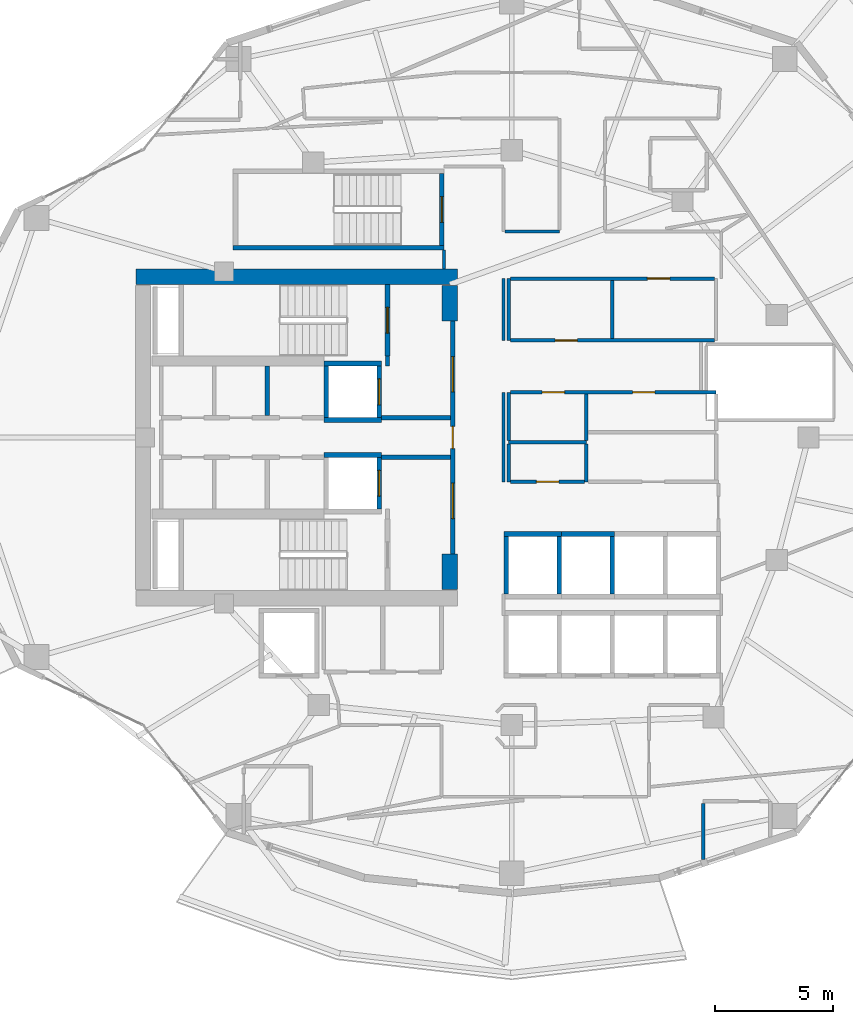
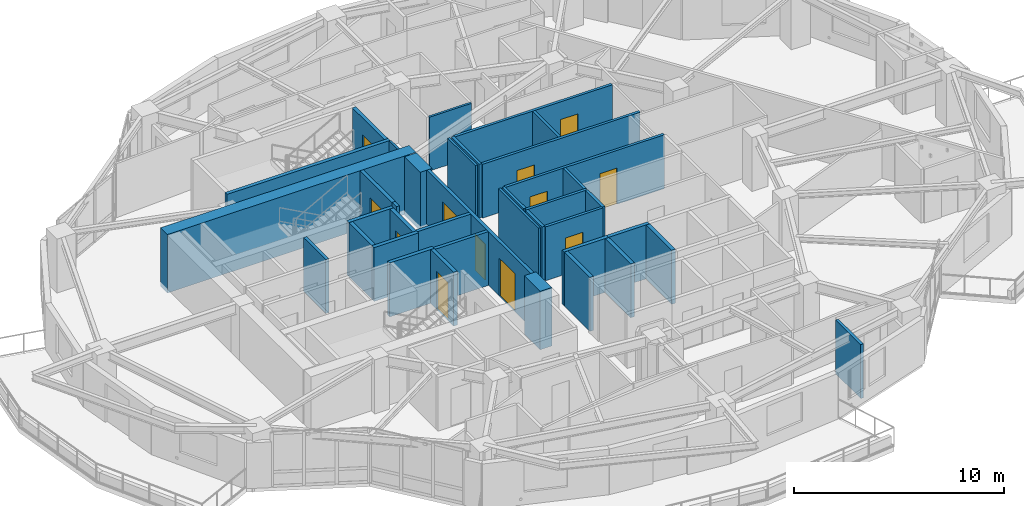
# One storey, part 9 of 18: 38 walls, 12 doors, 12 openings.
"""IFC4 building model written with IfcOpenShell, lengths in metres."""

from ifc_helpers import new_model, si_unit, direction, frame, frame_2d, origin, place, context, subcontext, project, spatial, rectangle, extrude, material, layer, layer_set, type_object, element, fill, save


model = new_model("IFC4")

# Units and contexts
model_context = context("Model", 3, precision=1e-05, world=origin(), true_north=direction((0.0, 1.0)))
body_context = subcontext(model_context, "Body", "Model", "MODEL_VIEW")
ifc_project = project(units=[si_unit("LENGTHUNIT", "METRE"), si_unit("AREAUNIT", "SQUARE_METRE"), si_unit("VOLUMEUNIT", "CUBIC_METRE"), si_unit("PLANEANGLEUNIT", "RADIAN"), si_unit("MASSUNIT", "GRAM", prefix="KILO")], contexts=[model_context])

# Site, building, storey
site_placement = place(None, origin())
site = spatial("IfcSite", under=ifc_project, at=site_placement, CompositionType="ELEMENT")
building_placement = place(site_placement, origin())
building = spatial("IfcBuilding", under=site, at=building_placement, Name="Kolvaren Gate Tower and Convention Centre", CompositionType="ELEMENT")
storey_placement = place(building_placement, frame((0.0, 0.0, 108.699951171875)))
storey = spatial("IfcBuildingStorey", under=building, at=storey_placement, Name="L26", CompositionType="ELEMENT", Elevation=108.699951171875)

# Wall
ifc_material_1 = material(Name="Autoclaved Aerated Masonry Blockwork Class 4 (4.0 MPa)", Category="masonry")
ifc_layer_1 = layer(ifc_material_1, 0.179931640625)
ifc_layer_set_1 = layer_set([ifc_layer_1], Name="Autoclaved Aerated Masonry Blockwork Class 4 (4.0 MPa)")
wall_type_1 = type_object("IfcWallType", Name="ARCH-WL-COMP-180", PredefinedType="SOLIDWALL", material=ifc_layer_set_1)
wall_1_placement = place(storey_placement, frame((24.85009765625, 30.0400390625, 0.0), z_axis=(0.0, 0.0, 1.0), x_axis=(0.0, 1.0, 0.0)))
element("IfcWall", 1, at=wall_1_placement, inside=storey, type_object=wall_type_1, Name="Interior Partition WL-L26-INT-002", PredefinedType="SOLIDWALL", context=body_context, shape_type="SweptSolid", body=[
    extrude(rectangle(XDim=0.419921875, YDim=0.179931640625, at=frame_2d((0.2099609375, 0.0))), origin(), (0.0, 0.0, 1.0), 3.130126953125),
])

# Wall, openings, doors
wall_2_placement = place(storey_placement, frame((27.6201171875, 22.050048828125, 0.0), z_axis=(0.0, 0.0, 1.0), x_axis=(0.0, 1.0, 0.0)))
wall_2 = element("IfcWall", 2, at=wall_2_placement, inside=storey, type_object=wall_type_1, Name="Interior Partition WL-L26-INT-003", PredefinedType="SOLIDWALL", context=body_context, shape_type="SweptSolid", body=[
    extrude(rectangle(XDim=9.89990234375, YDim=0.179931640625, at=frame_2d((4.949951171875, 0.0))), origin(), (0.0, 0.0, 1.0), 3.130126953125),
])
opening_1_placement = place(wall_2_placement, frame((4.47509765625, 0.0, 0.0)))
opening_1 = element("IfcOpeningElement", 3, at=opening_1_placement, cuts=wall_2, Name="Opening DR-01", PredefinedType="OPENING", context=body_context, shape_type="SweptSolid", body=[
    extrude(rectangle(XDim=0.949951171875, YDim=2.10009765625, at=frame_2d((0.47509765625, 1.050048828125))), frame((0.0, 0.099853515625, 0.0), z_axis=(0.0, -1.0, 0.0), x_axis=(1.0, 0.0, 0.0)), (0.0, 0.0, 1.0), 0.199951171875),
])
opening_2_placement = place(wall_2_placement, frame((6.889892578125, 0.0, 0.0)))
opening_2 = element("IfcOpeningElement", 4, at=opening_2_placement, cuts=wall_2, Name="Opening DL-01", PredefinedType="OPENING", context=body_context, shape_type="SweptSolid", body=[
    extrude(rectangle(XDim=1.5, YDim=2.199951171875, at=frame_2d((0.75, 1.10009765625))), frame((0.0, 0.099853515625, 0.0), z_axis=(0.0, -1.0, 0.0), x_axis=(1.0, 0.0, 0.0)), (0.0, 0.0, 1.0), 0.199951171875),
])
opening_3_placement = place(wall_2_placement, frame((1.510009765625, 0.0, 0.0)))
opening_3 = element("IfcOpeningElement", 5, at=opening_3_placement, cuts=wall_2, Name="Opening DL-01", PredefinedType="OPENING", context=body_context, shape_type="SweptSolid", body=[
    extrude(rectangle(XDim=1.5, YDim=2.199951171875, at=frame_2d((0.75, 1.10009765625))), frame((0.0, 0.099853515625, 0.0), z_axis=(0.0, -1.0, 0.0), x_axis=(1.0, 0.0, 0.0)), (0.0, 0.0, 1.0), 0.199951171875),
])
ifc_material_2 = material(Name="Painted Architectural Steelwork ASTM A500 Grade C 345 MPa", Category="steel")
door_type_1 = type_object("IfcDoorType", Name="ARCH-DR-LOBBY-1500", OperationType="DOUBLE_DOOR_SINGLE_SWING", PredefinedType="DOOR", material=ifc_material_2)
door_1_placement = place(opening_2_placement, origin())
door_1 = element("IfcDoor", 6, at=door_1_placement, inside=storey, type_object=door_type_1, Name="North Firefighting Stair and Lift Lobby Door", OperationType="DOUBLE_DOOR_SINGLE_SWING", OverallHeight=2.199951171875, OverallWidth=1.5, PredefinedType="DOOR", context=body_context, shape_type="SweptSolid", body=[
    extrude(rectangle(XDim=1.5, YDim=2.199951171875, at=frame_2d((0.75, 1.10009765625))), frame((0.0, 0.02490234375, 0.0), z_axis=(0.0, -1.0, 0.0), x_axis=(1.0, 0.0, 0.0)), (0.0, 0.0, 1.0), 0.050048828125),
])
fill(opening_2, door_1)
door_2_placement = place(opening_3_placement, origin())
door_2 = element("IfcDoor", 7, at=door_2_placement, inside=storey, type_object=door_type_1, Name="South Firefighting Stair and Lift Lobby Door", OperationType="DOUBLE_DOOR_SINGLE_SWING", OverallHeight=2.199951171875, OverallWidth=1.5, PredefinedType="DOOR", context=body_context, shape_type="SweptSolid", body=[
    extrude(rectangle(XDim=1.5, YDim=2.199951171875, at=frame_2d((0.75, 1.10009765625))), frame((0.0, 0.02490234375, 0.0), z_axis=(0.0, -1.0, 0.0), x_axis=(1.0, 0.0, 0.0)), (0.0, 0.0, 1.0), 0.050048828125),
])
fill(opening_3, door_2)
door_type_2 = type_object("IfcDoorType", Name="ARCH-DR-RISER-950", OperationType="SINGLE_SWING_RIGHT", PredefinedType="DOOR", material=ifc_material_2)
door_3_placement = place(opening_1_placement, origin())
door_3 = element("IfcDoor", 8, at=door_3_placement, inside=storey, type_object=door_type_2, Name="Central MEP Service Corridor Door", OperationType="SINGLE_SWING_RIGHT", OverallHeight=2.10009765625, OverallWidth=0.949951171875, PredefinedType="DOOR", context=body_context, shape_type="SweptSolid", body=[
    extrude(rectangle(XDim=0.949951171875, YDim=2.10009765625, at=frame_2d((0.47509765625, 1.050048828125))), frame((0.0, 0.02490234375, 0.0), z_axis=(0.0, -1.0, 0.0), x_axis=(1.0, 0.0, 0.0)), (0.0, 0.0, 1.0), 0.050048828125),
])
fill(opening_1, door_3)

# Walls
for number, where, z_axis, x_axis, name in (
    (9, (24.60009765625, 27.840087890625, 0.0), (0.0, 0.0, 1.0), (1.0, 0.0, 0.0), "Interior Partition WL-L26-INT-004 (2)"),
    (10, (24.60009765625, 26.159912109375, 0.0), (0.0, 0.0, 1.0), (1.0, 0.0, 0.0), "Interior Partition WL-L26-INT-005 (2)"),
):
    element("IfcWall", number, at=place(storey_placement, frame(where, z_axis=z_axis, x_axis=x_axis)), inside=storey, type_object=wall_type_1, Name=name, PredefinedType="SOLIDWALL", context=body_context, shape_type="SweptSolid", body=[
        extrude(rectangle(XDim=2.927978515625, YDim=0.179931640625, at=frame_2d((1.4638671875, 0.0))), origin(), (0.0, 0.0, 1.0), 3.130126953125),
    ])
wall_3_placement = place(storey_placement, frame((19.75, 27.931884765625, 0.0), z_axis=(0.0, 0.0, 1.0), x_axis=(0.0, 1.0, 0.0)))
element("IfcWall", 11, at=wall_3_placement, inside=storey, type_object=wall_type_1, Name="Interior Partition WL-L26-INT-008", PredefinedType="SOLIDWALL", context=body_context, shape_type="SweptSolid", body=[
    extrude(rectangle(XDim=2.106201171875, YDim=0.179931640625, at=frame_2d((1.05322265625, 0.0))), origin(), (0.0, 0.0, 1.0), 3.130126953125),
])
ifc_material_3 = material(Name="Fire-Rated Acoustic Gypsum Stud Partition", Category="gypsum")
ifc_layer_2 = layer(ifc_material_3, 0.1201171875)
ifc_layer_set_2 = layer_set([ifc_layer_2], Name="Fire-Rated Acoustic Gypsum Stud Partition")
wall_type_2 = type_object("IfcWallType", Name="ARCH-WL-PART-120", PredefinedType="PARTITIONING", material=ifc_layer_set_2)
wall_4_placement = place(storey_placement, frame((27.25, 34.152099609375, 0.0), z_axis=(0.0, 0.0, 1.0), x_axis=(0.0, 1.0, 0.0)))
element("IfcWall", 12, at=wall_4_placement, inside=storey, type_object=wall_type_2, Name="Interior Partition WL-L26-INT-038", PredefinedType="PARTITIONING", context=body_context, shape_type="SweptSolid", body=[
    extrude(rectangle(XDim=0.805908203125, YDim=0.1201171875, at=frame_2d((0.40283203125, 0.0))), origin(), (0.0, 0.0, 1.0), 3.130126953125),
])
wall_5_placement = place(storey_placement, frame((29.780029296875, 25.1201171875, 0.0), z_axis=(0.0, 0.0, 1.0), x_axis=(0.0, 1.0, 0.0)))
element("IfcWall", 13, at=wall_5_placement, inside=storey, type_object=wall_type_2, Name="Interior Partition WL-L26-INT-041", PredefinedType="PARTITIONING", context=body_context, shape_type="SweptSolid", body=[
    extrude(rectangle(XDim=3.7998046875, YDim=0.1201171875, at=frame_2d((1.89990234375, 0.0))), origin(), (0.0, 0.0, 1.0), 3.130126953125),
])
wall_6_placement = place(storey_placement, frame((29.780029296875, 31.1201171875, 0.0), z_axis=(0.0, 0.0, 1.0), x_axis=(0.0, 1.0, 0.0)))
element("IfcWall", 14, at=wall_6_placement, inside=storey, type_object=wall_type_2, Name="Interior Partition WL-L26-INT-042", PredefinedType="PARTITIONING", context=body_context, shape_type="SweptSolid", body=[
    extrude(rectangle(XDim=2.6298828125, YDim=0.1201171875, at=frame_2d((1.31494140625, 0.0))), origin(), (0.0, 0.0, 1.0), 3.130126953125),
])
wall_7_placement = place(storey_placement, frame((29.842041015625, 35.75, 0.0), z_axis=(0.0, 0.0, 1.0), x_axis=(1.0, 0.0, 0.0)))
element("IfcWall", 15, at=wall_7_placement, inside=storey, type_object=wall_type_2, Name="Interior Partition WL-L26-INT-044", PredefinedType="PARTITIONING", context=body_context, shape_type="SweptSolid", body=[
    extrude(rectangle(XDim=2.307861328125, YDim=0.1201171875, at=frame_2d((1.15380859375, 0.0))), origin(), (0.0, 0.0, 1.0), 3.130126953125),
])
ifc_layer_3 = layer(ifc_material_1, 0.199951171875)
ifc_layer_set_3 = layer_set([ifc_layer_3], Name="Autoclaved Aerated Masonry Blockwork Class 4 (4.0 MPa)")
wall_type_3 = type_object("IfcWallType", Name="ARCH-WL-SHAFT-200", PredefinedType="SOLIDWALL", material=ifc_layer_set_3)
for number, where, z_axis, x_axis, name in (
    (16, (22.14990234375, 30.139892578125, 0.0), (0.0, 0.0, 1.0), (1.0, 0.0, 0.0), "Elevator FF-01 L26 Fire Shaft Wall N"),
    (17, (22.14990234375, 27.739990234375, 0.0), (0.0, 0.0, 1.0), (1.0, 0.0, 0.0), "Elevator FF-01 L26 Fire Shaft Wall S"),
):
    element("IfcWall", number, at=place(storey_placement, frame(where, z_axis=z_axis, x_axis=x_axis)), inside=storey, type_object=wall_type_3, Name=name, PredefinedType="SOLIDWALL", context=body_context, shape_type="SweptSolid", body=[
        extrude(rectangle(XDim=2.4501953125, YDim=0.199951171875, at=frame_2d((1.22509765625, 0.0))), origin(), (0.0, 0.0, 1.0), 3.130126953125),
    ])
wall_8_placement = place(storey_placement, frame((22.25, 27.85009765625, 0.0), z_axis=(0.0, 0.0, 1.0), x_axis=(0.0, 1.0, 0.0)))
element("IfcWall", 18, at=wall_8_placement, inside=storey, type_object=wall_type_3, Name="Elevator FF-01 L26 Fire Shaft Wall W", PredefinedType="SOLIDWALL", context=body_context, shape_type="SweptSolid", body=[
    extrude(rectangle(XDim=2.179931640625, YDim=0.199951171875, at=frame_2d((1.08984375, 0.0))), origin(), (0.0, 0.0, 1.0), 3.130126953125),
])

# Wall, opening, door
wall_9_placement = place(storey_placement, frame((24.5, 27.85009765625, 0.0), z_axis=(0.0, 0.0, 1.0), x_axis=(0.0, 1.0, 0.0)))
wall_9 = element("IfcWall", 19, at=wall_9_placement, inside=storey, type_object=wall_type_3, Name="Elevator FF-01 L26 Fire Shaft Wall E", PredefinedType="SOLIDWALL", context=body_context, shape_type="SweptSolid", body=[
    extrude(rectangle(XDim=2.179931640625, YDim=0.199951171875, at=frame_2d((1.08984375, 0.0))), origin(), (0.0, 0.0, 1.0), 3.130126953125),
])
opening_4_placement = place(wall_9_placement, frame((0.5400390625, 0.0, 0.0)))
opening_4 = element("IfcOpeningElement", 20, at=opening_4_placement, cuts=wall_9, Name="Opening LD", PredefinedType="OPENING", context=body_context, shape_type="SweptSolid", body=[
    extrude(rectangle(XDim=1.10009765625, YDim=2.199951171875, at=frame_2d((0.550048828125, 1.10009765625))), frame((0.0, 0.10986328125, 0.0), z_axis=(0.0, -1.0, 0.0), x_axis=(1.0, 0.0, 0.0)), (0.0, 0.0, 1.0), 0.219970703125),
])
ifc_material_4 = material(Name="Brushed Stainless Steel Grade 316L", Category="steel")
door_type_3 = type_object("IfcDoorType", Name="ARCH-DR-LIFT-1100", OperationType="SLIDING_TO_LEFT", PredefinedType="DOOR", material=ifc_material_4)
door_4_placement = place(opening_4_placement, origin())
door_4 = element("IfcDoor", 21, at=door_4_placement, inside=storey, type_object=door_type_3, Name="Elevator FF-01 L26 Sliding Landing Door", OperationType="SLIDING_TO_LEFT", OverallHeight=2.199951171875, OverallWidth=1.10009765625, PredefinedType="DOOR", context=body_context, shape_type="SweptSolid", body=[
    extrude(rectangle(XDim=1.10009765625, YDim=2.199951171875, at=frame_2d((0.550048828125, 1.10009765625))), frame((0.0, 0.02490234375, 0.0), z_axis=(0.0, -1.0, 0.0), x_axis=(1.0, 0.0, 0.0)), (0.0, 0.0, 1.0), 0.050048828125),
])
fill(opening_4, door_4)

# Wall
wall_10_placement = place(storey_placement, frame((22.14990234375, 26.260009765625, 0.0), z_axis=(0.0, 0.0, 1.0), x_axis=(1.0, 0.0, 0.0)))
element("IfcWall", 22, at=wall_10_placement, inside=storey, type_object=wall_type_3, Name="Elevator FF-02 L26 Fire Shaft Wall N", PredefinedType="SOLIDWALL", context=body_context, shape_type="SweptSolid", body=[
    extrude(rectangle(XDim=2.4501953125, YDim=0.199951171875, at=frame_2d((1.22509765625, 0.0))), origin(), (0.0, 0.0, 1.0), 3.130126953125),
])

# Wall, opening, door
wall_11_placement = place(storey_placement, frame((24.5, 23.969970703125, 0.0), z_axis=(0.0, 0.0, 1.0), x_axis=(0.0, 1.0, 0.0)))
wall_11 = element("IfcWall", 23, at=wall_11_placement, inside=storey, type_object=wall_type_3, Name="Elevator FF-02 L26 Fire Shaft Wall E", PredefinedType="SOLIDWALL", context=body_context, shape_type="SweptSolid", body=[
    extrude(rectangle(XDim=2.179931640625, YDim=0.199951171875, at=frame_2d((1.08984375, 0.0))), origin(), (0.0, 0.0, 1.0), 3.130126953125),
])
opening_5_placement = place(wall_11_placement, frame((0.5400390625, 0.0, 0.0)))
opening_5 = element("IfcOpeningElement", 24, at=opening_5_placement, cuts=wall_11, Name="Opening LD", PredefinedType="OPENING", context=body_context, shape_type="SweptSolid", body=[
    extrude(rectangle(XDim=1.10009765625, YDim=2.199951171875, at=frame_2d((0.550048828125, 1.10009765625))), frame((0.0, 0.10986328125, 0.0), z_axis=(0.0, -1.0, 0.0), x_axis=(1.0, 0.0, 0.0)), (0.0, 0.0, 1.0), 0.219970703125),
])
door_5_placement = place(opening_5_placement, origin())
door_5 = element("IfcDoor", 25, at=door_5_placement, inside=storey, type_object=door_type_3, Name="Elevator FF-02 L26 Sliding Landing Door", OperationType="SLIDING_TO_LEFT", OverallHeight=2.199951171875, OverallWidth=1.10009765625, PredefinedType="DOOR", context=body_context, shape_type="SweptSolid", body=[
    extrude(rectangle(XDim=1.10009765625, YDim=2.199951171875, at=frame_2d((0.550048828125, 1.10009765625))), frame((0.0, 0.02490234375, 0.0), z_axis=(0.0, -1.0, 0.0), x_axis=(1.0, 0.0, 0.0)), (0.0, 0.0, 1.0), 0.050048828125),
])
fill(opening_5, door_5)

# Walls
wall_12_placement = place(storey_placement, frame((29.800048828125, 22.89990234375, 0.0), z_axis=(0.0, 0.0, 1.0), x_axis=(1.0, 0.0, 0.0)))
element("IfcWall", 26, at=wall_12_placement, inside=storey, type_object=wall_type_3, Name="Elevator PL-09 L26 Fire Shaft Wall N", PredefinedType="SOLIDWALL", context=body_context, shape_type="SweptSolid", body=[
    extrude(rectangle(XDim=2.449951171875, YDim=0.199951171875, at=frame_2d((1.22509765625, 0.0))), origin(), (0.0, 0.0, 1.0), 3.130126953125),
])
for number, where, z_axis, x_axis, name in (
    (27, (29.89990234375, 20.360107421875, 0.0), (0.0, 0.0, 1.0), (0.0, 1.0, 0.0), "Elevator PL-09 L26 Fire Shaft Wall W"),
    (28, (32.14990234375, 20.360107421875, 0.0), (0.0, 0.0, 1.0), (0.0, 1.0, 0.0), "Elevator PL-09 L26 Fire Shaft Wall E"),
):
    element("IfcWall", number, at=place(storey_placement, frame(where, z_axis=z_axis, x_axis=x_axis)), inside=storey, type_object=wall_type_3, Name=name, PredefinedType="SOLIDWALL", context=body_context, shape_type="SweptSolid", body=[
        extrude(rectangle(XDim=2.429931640625, YDim=0.199951171875, at=frame_2d((1.21484375, 0.0))), origin(), (0.0, 0.0, 1.0), 3.130126953125),
    ])
wall_13_placement = place(storey_placement, frame((32.25, 22.89990234375, 0.0), z_axis=(0.0, 0.0, 1.0), x_axis=(1.0, 0.0, 0.0)))
element("IfcWall", 29, at=wall_13_placement, inside=storey, type_object=wall_type_3, Name="Elevator PL-10 L26 Fire Shaft Wall N", PredefinedType="SOLIDWALL", context=body_context, shape_type="SweptSolid", body=[
    extrude(rectangle(XDim=2.25, YDim=0.199951171875, at=frame_2d((1.125, 0.0))), origin(), (0.0, 0.0, 1.0), 3.130126953125),
])
wall_14_placement = place(storey_placement, frame((34.39990234375, 20.360107421875, 0.0), z_axis=(0.0, 0.0, 1.0), x_axis=(0.0, 1.0, 0.0)))
element("IfcWall", 30, at=wall_14_placement, inside=storey, type_object=wall_type_3, Name="Elevator PL-10 L26 Fire Shaft Wall E", PredefinedType="SOLIDWALL", context=body_context, shape_type="SweptSolid", body=[
    extrude(rectangle(XDim=2.429931640625, YDim=0.199951171875, at=frame_2d((1.21484375, 0.0))), origin(), (0.0, 0.0, 1.0), 3.130126953125),
])
ifc_material_5 = material(Name="Moisture-Resistant Cement-Board Acoustic Partition", Category="gypsum")
ifc_layer_4 = layer(ifc_material_5, 0.14990234375)
ifc_layer_set_4 = layer_set([ifc_layer_4], Name="Moisture-Resistant Cement-Board Acoustic Partition")
wall_type_4 = type_object("IfcWallType", Name="ARCH-WL-WET-150", PredefinedType="PARTITIONING", material=ifc_layer_set_4)
wall_15_placement = place(storey_placement, frame((30.0, 26.800048828125, 0.0), z_axis=(0.0, 0.0, 1.0), x_axis=(1.0, 0.0, 0.0)))
element("IfcWall", 31, at=wall_15_placement, inside=storey, type_object=wall_type_4, Name="Interior Partition WL-L26-INT-016", PredefinedType="PARTITIONING", context=body_context, shape_type="SweptSolid", body=[
    extrude(rectangle(XDim=3.300048828125, YDim=0.14990234375, at=frame_2d((1.64990234375, 0.0))), origin(), (0.0, 0.0, 1.0), 3.130126953125),
])
wall_16_placement = place(storey_placement, frame((30.0, 25.1201171875, 0.0), z_axis=(0.0, 0.0, 1.0), x_axis=(0.0, 1.0, 0.0)))
element("IfcWall", 32, at=wall_16_placement, inside=storey, type_object=wall_type_4, Name="Interior Partition WL-L26-INT-017", PredefinedType="PARTITIONING", context=body_context, shape_type="SweptSolid", body=[
    extrude(rectangle(XDim=1.602783203125, YDim=0.14990234375, at=frame_2d((0.80126953125, 0.0))), origin(), (0.0, 0.0, 1.0), 3.130126953125),
])
wall_17_placement = place(storey_placement, frame((30.0, 26.876953125, 0.0), z_axis=(0.0, 0.0, 1.0), x_axis=(0.0, 1.0, 0.0)))
element("IfcWall", 33, at=wall_17_placement, inside=storey, type_object=wall_type_4, Name="Interior Partition WL-L26-INT-017 (2)", PredefinedType="PARTITIONING", context=body_context, shape_type="SweptSolid", body=[
    extrude(rectangle(XDim=2.04296875, YDim=0.14990234375, at=frame_2d((1.021484375, 0.0))), origin(), (0.0, 0.0, 1.0), 3.130126953125),
])
wall_18_placement = place(storey_placement, frame((30.0, 31.1201171875, 0.0), z_axis=(0.0, 0.0, 1.0), x_axis=(0.0, 1.0, 0.0)))
element("IfcWall", 34, at=wall_18_placement, inside=storey, type_object=wall_type_4, Name="Interior Partition WL-L26-INT-018", PredefinedType="PARTITIONING", context=body_context, shape_type="SweptSolid", body=[
    extrude(rectangle(XDim=2.6298828125, YDim=0.14990234375, at=frame_2d((1.31494140625, 0.0))), origin(), (0.0, 0.0, 1.0), 3.130126953125),
])

# Wall, openings, doors
wall_19_placement = place(storey_placement, frame((30.076904296875, 28.919921875, 0.0), z_axis=(0.0, 0.0, 1.0), x_axis=(1.0, 0.0, 0.0)))
wall_19 = element("IfcWall", 35, at=wall_19_placement, inside=storey, type_object=wall_type_4, Name="Interior Partition WL-L26-INT-019", PredefinedType="PARTITIONING", context=body_context, shape_type="SweptSolid", body=[
    extrude(rectangle(XDim=8.72314453125, YDim=0.14990234375, at=frame_2d((4.361572265625, 0.0))), origin(), (0.0, 0.0, 1.0), 3.130126953125),
])
opening_6_placement = place(wall_19_placement, frame((1.341552734375, 0.0, 0.0)))
opening_6 = element("IfcOpeningElement", 36, at=opening_6_placement, cuts=wall_19, Name="Opening DR-01", PredefinedType="OPENING", context=body_context, shape_type="SweptSolid", body=[
    extrude(rectangle(XDim=0.949951171875, YDim=2.10009765625, at=frame_2d((0.47509765625, 1.050048828125))), frame((0.0, 0.0849609375, 0.0), z_axis=(0.0, -1.0, 0.0), x_axis=(1.0, 0.0, 0.0)), (0.0, 0.0, 1.0), 0.169921875),
])
opening_7_placement = place(wall_19_placement, frame((5.177978515625, 0.0, 0.0)))
opening_7 = element("IfcOpeningElement", 37, at=opening_7_placement, cuts=wall_19, Name="Opening DR-01", PredefinedType="OPENING", context=body_context, shape_type="SweptSolid", body=[
    extrude(rectangle(XDim=0.949951171875, YDim=2.10009765625, at=frame_2d((0.47509765625, 1.050048828125))), frame((0.0, 0.0849609375, 0.0), z_axis=(0.0, -1.0, 0.0), x_axis=(1.0, 0.0, 0.0)), (0.0, 0.0, 1.0), 0.169921875),
])
door_6_placement = place(opening_6_placement, origin())
door_6 = element("IfcDoor", 38, at=door_6_placement, inside=storey, type_object=door_type_2, Name="Accessible North Washroom Door", OperationType="SINGLE_SWING_LEFT", OverallHeight=2.10009765625, OverallWidth=0.949951171875, PredefinedType="DOOR", context=body_context, shape_type="SweptSolid", body=[
    extrude(rectangle(XDim=0.949951171875, YDim=2.10009765625, at=frame_2d((0.47509765625, 1.050048828125))), frame((0.0, 0.02490234375, 0.0), z_axis=(0.0, -1.0, 0.0), x_axis=(1.0, 0.0, 0.0)), (0.0, 0.0, 1.0), 0.050048828125),
])
fill(opening_6, door_6)
door_7_placement = place(opening_7_placement, origin())
door_7 = element("IfcDoor", 39, at=door_7_placement, inside=storey, type_object=door_type_2, Name="Hotel Housekeeping and Linen Store Door", OperationType="SINGLE_SWING_LEFT", OverallHeight=2.10009765625, OverallWidth=0.949951171875, PredefinedType="DOOR", context=body_context, shape_type="SweptSolid", body=[
    extrude(rectangle(XDim=0.949951171875, YDim=2.10009765625, at=frame_2d((0.47509765625, 1.050048828125))), frame((0.0, 0.02490234375, 0.0), z_axis=(0.0, -1.0, 0.0), x_axis=(1.0, 0.0, 0.0)), (0.0, 0.0, 1.0), 0.050048828125),
])
fill(opening_7, door_7)

# Walls
wall_20_placement = place(storey_placement, frame((33.300048828125, 25.1201171875, 0.0), z_axis=(0.0, 0.0, 1.0), x_axis=(0.0, 1.0, 0.0)))
element("IfcWall", 40, at=wall_20_placement, inside=storey, type_object=wall_type_4, Name="Interior Partition WL-L26-INT-020", PredefinedType="PARTITIONING", context=body_context, shape_type="SweptSolid", body=[
    extrude(rectangle(XDim=1.602783203125, YDim=0.14990234375, at=frame_2d((0.80126953125, 0.0))), origin(), (0.0, 0.0, 1.0), 3.130126953125),
])
wall_21_placement = place(storey_placement, frame((33.300048828125, 26.876953125, 0.0), z_axis=(0.0, 0.0, 1.0), x_axis=(0.0, 1.0, 0.0)))
element("IfcWall", 41, at=wall_21_placement, inside=storey, type_object=wall_type_4, Name="Interior Partition WL-L26-INT-020 (2)", PredefinedType="PARTITIONING", context=body_context, shape_type="SweptSolid", body=[
    extrude(rectangle(XDim=1.966064453125, YDim=0.14990234375, at=frame_2d((0.98291015625, 0.0))), origin(), (0.0, 0.0, 1.0), 3.130126953125),
])

# Wall, opening, door
wall_22_placement = place(storey_placement, frame((30.076904296875, 25.1201171875, 0.0), z_axis=(0.0, 0.0, 1.0), x_axis=(1.0, 0.0, 0.0)))
wall_22 = element("IfcWall", 42, at=wall_22_placement, inside=storey, type_object=wall_type_4, Name="Interior Partition WL-L26-INT-021", PredefinedType="PARTITIONING", context=body_context, shape_type="SweptSolid", body=[
    extrude(rectangle(XDim=3.14599609375, YDim=0.14990234375, at=frame_2d((1.572998046875, 0.0))), origin(), (0.0, 0.0, 1.0), 3.130126953125),
])
opening_8_placement = place(wall_22_placement, frame((1.097900390625, 0.0, 0.0)))
opening_8 = element("IfcOpeningElement", 43, at=opening_8_placement, cuts=wall_22, Name="Opening DR-01", PredefinedType="OPENING", context=body_context, shape_type="SweptSolid", body=[
    extrude(rectangle(XDim=0.949951171875, YDim=2.10009765625, at=frame_2d((0.47509765625, 1.050048828125))), frame((0.0, 0.0849609375, 0.0), z_axis=(0.0, -1.0, 0.0), x_axis=(1.0, 0.0, 0.0)), (0.0, 0.0, 1.0), 0.169921875),
])
door_8_placement = place(opening_8_placement, origin())
door_8 = element("IfcDoor", 44, at=door_8_placement, inside=storey, type_object=door_type_2, Name="South Visitor Washroom Door", OperationType="SINGLE_SWING_RIGHT", OverallHeight=2.10009765625, OverallWidth=0.949951171875, PredefinedType="DOOR", context=body_context, shape_type="SweptSolid", body=[
    extrude(rectangle(XDim=0.949951171875, YDim=2.10009765625, at=frame_2d((0.47509765625, 1.050048828125))), frame((0.0, 0.02490234375, 0.0), z_axis=(0.0, -1.0, 0.0), x_axis=(1.0, 0.0, 0.0)), (0.0, 0.0, 1.0), 0.050048828125),
])
fill(opening_8, door_8)

wall_23_placement = place(storey_placement, frame((30.076904296875, 31.1201171875, 0.0), z_axis=(0.0, 0.0, 1.0), x_axis=(1.0, 0.0, 0.0)))
wall_23 = element("IfcWall", 45, at=wall_23_placement, inside=storey, type_object=wall_type_4, Name="Interior Partition WL-L26-INT-025", PredefinedType="PARTITIONING", context=body_context, shape_type="SweptSolid", body=[
    extrude(rectangle(XDim=8.6611328125, YDim=0.14990234375, at=frame_2d((4.33056640625, 0.0))), origin(), (0.0, 0.0, 1.0), 3.130126953125),
])
opening_9_placement = place(wall_23_placement, frame((1.8916015625, 0.0, 0.0)))
opening_9 = element("IfcOpeningElement", 46, at=opening_9_placement, cuts=wall_23, Name="Opening DR-01", PredefinedType="OPENING", context=body_context, shape_type="SweptSolid", body=[
    extrude(rectangle(XDim=0.949951171875, YDim=2.10009765625, at=frame_2d((0.47509765625, 1.050048828125))), frame((0.0, 0.0849609375, 0.0), z_axis=(0.0, -1.0, 0.0), x_axis=(1.0, 0.0, 0.0)), (0.0, 0.0, 1.0), 0.169921875),
])
door_9_placement = place(opening_9_placement, origin())
door_9 = element("IfcDoor", 47, at=door_9_placement, inside=storey, type_object=door_type_2, Name="Valet and Linen Store Door", OperationType="SINGLE_SWING_LEFT", OverallHeight=2.10009765625, OverallWidth=0.949951171875, PredefinedType="DOOR", context=body_context, shape_type="SweptSolid", body=[
    extrude(rectangle(XDim=0.949951171875, YDim=2.10009765625, at=frame_2d((0.47509765625, 1.050048828125))), frame((0.0, 0.02490234375, 0.0), z_axis=(0.0, -1.0, 0.0), x_axis=(1.0, 0.0, 0.0)), (0.0, 0.0, 1.0), 0.050048828125),
])
fill(opening_9, door_9)

wall_24_placement = place(storey_placement, frame((30.076904296875, 33.75, 0.0), z_axis=(0.0, 0.0, 1.0), x_axis=(1.0, 0.0, 0.0)))
wall_24 = element("IfcWall", 48, at=wall_24_placement, inside=storey, type_object=wall_type_4, Name="Interior Partition WL-L26-INT-026", PredefinedType="PARTITIONING", context=body_context, shape_type="SweptSolid", body=[
    extrude(rectangle(XDim=8.6611328125, YDim=0.14990234375, at=frame_2d((4.33056640625, 0.0))), origin(), (0.0, 0.0, 1.0), 3.130126953125),
])
opening_10_placement = place(wall_24_placement, frame((5.81201171875, 0.0, 0.0)))
opening_10 = element("IfcOpeningElement", 49, at=opening_10_placement, cuts=wall_24, Name="Opening DR-01", PredefinedType="OPENING", context=body_context, shape_type="SweptSolid", body=[
    extrude(rectangle(XDim=0.949951171875, YDim=2.10009765625, at=frame_2d((0.47509765625, 1.050048828125))), frame((0.0, 0.0849609375, 0.0), z_axis=(0.0, -1.0, 0.0), x_axis=(1.0, 0.0, 0.0)), (0.0, 0.0, 1.0), 0.169921875),
])
door_10_placement = place(opening_10_placement, origin())
door_10 = element("IfcDoor", 50, at=door_10_placement, inside=storey, type_object=door_type_2, Name="Ice and Beverage Pantry Door", OperationType="SINGLE_SWING_RIGHT", OverallHeight=2.10009765625, OverallWidth=0.949951171875, PredefinedType="DOOR", context=body_context, shape_type="SweptSolid", body=[
    extrude(rectangle(XDim=0.949951171875, YDim=2.10009765625, at=frame_2d((0.47509765625, 1.050048828125))), frame((0.0, 0.02490234375, 0.0), z_axis=(0.0, -1.0, 0.0), x_axis=(1.0, 0.0, 0.0)), (0.0, 0.0, 1.0), 0.050048828125),
])
fill(opening_10, door_10)

# Walls
wall_25_placement = place(storey_placement, frame((34.39990234375, 31.197021484375, 0.0), z_axis=(0.0, 0.0, 1.0), x_axis=(0.0, 1.0, 0.0)))
element("IfcWall", 51, at=wall_25_placement, inside=storey, type_object=wall_type_4, Name="Interior Partition WL-L26-INT-027", PredefinedType="PARTITIONING", context=body_context, shape_type="SweptSolid", body=[
    extrude(rectangle(XDim=2.47607421875, YDim=0.14990234375, at=frame_2d((1.238037109375, 0.0))), origin(), (0.0, 0.0, 1.0), 3.130126953125),
])
wall_26_placement = place(storey_placement, frame((38.25, 9.08740234375, 0.0), z_axis=(0.0, 0.0, 1.0), x_axis=(0.0, 1.0, 0.0)))
element("IfcWall", 52, at=wall_26_placement, inside=storey, type_object=wall_type_4, Name="Interior Partition WL-L26-INT-071", PredefinedType="PARTITIONING", context=body_context, shape_type="SweptSolid", body=[
    extrude(rectangle(XDim=2.385498046875, YDim=0.14990234375, at=frame_2d((1.19287109375, 0.0))), origin(), (0.0, 0.0, 1.0), 3.130126953125),
])
ifc_material_6 = material(Name="Concrete C60/75", Category="concrete")
ifc_layer_5 = layer(ifc_material_6, 0.64990234375)
ifc_layer_set_5 = layer_set([ifc_layer_5], Name="Concrete C60/75")
wall_type_5 = type_object("IfcWallType", Name="STR-WL-CORE-650", PredefinedType="SHEAR", material=ifc_layer_set_5)
wall_27_placement = place(storey_placement, frame((14.175048828125, 33.824951171875, -0.27001953125), z_axis=(0.0, 0.0, 1.0), x_axis=(1.0, 0.0, 0.0)))
element("IfcWall", 53, at=wall_27_placement, inside=storey, type_object=wall_type_5, Name="Tower L26 Offset Core Shear Wall N", PredefinedType="SHEAR", context=body_context, shape_type="SweptSolid", body=[
    extrude(rectangle(XDim=13.64990234375, YDim=0.64990234375, at=frame_2d((6.824951171875, 0.0))), origin(), (0.0, 0.0, 1.0), 3.400146484375),
])
for number, where, z_axis, x_axis, name in (
    (54, (27.5, 31.949951171875, -0.27001953125), (0.0, 0.0, 1.0), (0.0, 1.0, 0.0), "Tower L26 Offset Core Shear Wall EN"),
    (55, (27.5, 20.550048828125, -0.27001953125), (0.0, 0.0, 1.0), (0.0, 1.0, 0.0), "Tower L26 Offset Core Shear Wall ES"),
):
    element("IfcWall", number, at=place(storey_placement, frame(where, z_axis=z_axis, x_axis=x_axis)), inside=storey, type_object=wall_type_5, Name=name, PredefinedType="SHEAR", context=body_context, shape_type="SweptSolid", body=[
        extrude(rectangle(XDim=1.5, YDim=0.64990234375, at=frame_2d((0.75, 0.0))), origin(), (0.0, 0.0, 1.0), 3.400146484375),
    ])

# Wall, opening, door
ifc_material_7 = material(Name="Concrete C50/60", Category="concrete")
ifc_layer_6 = layer(ifc_material_7, 0.199951171875)
ifc_layer_set_6 = layer_set([ifc_layer_6], Name="Concrete C50/60")
wall_type_6 = type_object("IfcWallType", Name="STR-WL-SHAFT-200", PredefinedType="SHEAR", material=ifc_layer_set_6)
wall_28_placement = place(storey_placement, frame((24.85009765625, 30.4599609375, -0.27001953125), z_axis=(0.0, 0.0, 1.0), x_axis=(0.0, 1.0, 0.0)))
wall_28 = element("IfcWall", 56, at=wall_28_placement, inside=storey, type_object=wall_type_6, Name="Tower North Exit Stair ST-T1 L26 Structural Shear Enclosure Wall NEAR", PredefinedType="SHEAR", context=body_context, shape_type="SweptSolid", body=[
    extrude(rectangle(XDim=3.0380859375, YDim=0.199951171875, at=frame_2d((1.51904296875, 0.0))), origin(), (0.0, 0.0, 1.0), 3.400146484375),
])
opening_11_placement = place(wall_28_placement, frame((0.968994140625, 0.0, 0.27001953125)))
opening_11 = element("IfcOpeningElement", 57, at=opening_11_placement, cuts=wall_28, Name="Opening DS-01", PredefinedType="OPENING", context=body_context, shape_type="SweptSolid", body=[
    extrude(rectangle(XDim=1.10009765625, YDim=2.14990234375, at=frame_2d((0.550048828125, 1.074951171875))), frame((0.0, 0.10986328125, 0.0), z_axis=(0.0, -1.0, 0.0), x_axis=(1.0, 0.0, 0.0)), (0.0, 0.0, 1.0), 0.219970703125),
])
door_type_4 = type_object("IfcDoorType", Name="ARCH-DR-STAIR-1100", OperationType="SINGLE_SWING_LEFT", PredefinedType="DOOR", material=ifc_material_2)
door_11_placement = place(opening_11_placement, origin())
door_11 = element("IfcDoor", 58, at=door_11_placement, inside=storey, type_object=door_type_4, Name="Tower North Exit Stair ST-T1 L26 Fire Exit Stair Door", OperationType="SINGLE_SWING_RIGHT", OverallHeight=2.14990234375, OverallWidth=1.10009765625, PredefinedType="DOOR", context=body_context, shape_type="SweptSolid", body=[
    extrude(rectangle(XDim=1.10009765625, YDim=2.14990234375, at=frame_2d((0.550048828125, 1.074951171875))), frame((0.0, 0.02490234375, 0.0), z_axis=(0.0, -1.0, 0.0), x_axis=(1.0, 0.0, 0.0)), (0.0, 0.0, 1.0), 0.050048828125),
])
fill(opening_11, door_11)

wall_29_placement = place(storey_placement, frame((27.14990234375, 35.159912109375, -0.27001953125), z_axis=(0.0, 0.0, 1.0), x_axis=(0.0, 1.0, 0.0)))
wall_29 = element("IfcWall", 59, at=wall_29_placement, inside=storey, type_object=wall_type_6, Name="Tower Mid-Zone Exit Stair ST-T3 L26 Structural Shear Enclosure Wall NEAR", PredefinedType="SHEAR", context=body_context, shape_type="SweptSolid", body=[
    extrude(rectangle(XDim=3.0400390625, YDim=0.199951171875, at=frame_2d((1.52001953125, 0.0))), origin(), (0.0, 0.0, 1.0), 3.400146484375),
])
opening_12_placement = place(wall_29_placement, frame((0.969970703125, 0.0, 0.27001953125)))
opening_12 = element("IfcOpeningElement", 60, at=opening_12_placement, cuts=wall_29, Name="Opening DS-01", PredefinedType="OPENING", context=body_context, shape_type="SweptSolid", body=[
    extrude(rectangle(XDim=1.10009765625, YDim=2.14990234375, at=frame_2d((0.550048828125, 1.074951171875))), frame((0.0, 0.10986328125, 0.0), z_axis=(0.0, -1.0, 0.0), x_axis=(1.0, 0.0, 0.0)), (0.0, 0.0, 1.0), 0.219970703125),
])
door_12_placement = place(opening_12_placement, origin())
door_12 = element("IfcDoor", 61, at=door_12_placement, inside=storey, type_object=door_type_4, Name="Tower Mid-Zone Exit Stair ST-T3 L26 Fire Exit Stair Door", OperationType="SINGLE_SWING_RIGHT", OverallHeight=2.14990234375, OverallWidth=1.10009765625, PredefinedType="DOOR", context=body_context, shape_type="SweptSolid", body=[
    extrude(rectangle(XDim=1.10009765625, YDim=2.14990234375, at=frame_2d((0.550048828125, 1.074951171875))), frame((0.0, 0.02490234375, 0.0), z_axis=(0.0, -1.0, 0.0), x_axis=(1.0, 0.0, 0.0)), (0.0, 0.0, 1.0), 0.050048828125),
])
fill(opening_12, door_12)

# Wall
wall_30_placement = place(storey_placement, frame((18.300048828125, 35.06005859375, -0.27001953125), z_axis=(0.0, 0.0, 1.0), x_axis=(1.0, 0.0, 0.0)))
element("IfcWall", 62, at=wall_30_placement, inside=storey, type_object=wall_type_6, Name="Tower Mid-Zone Exit Stair ST-T3 L26 Structural Shear Enclosure Wall RGHT", PredefinedType="SHEAR", context=body_context, shape_type="SweptSolid", body=[
    extrude(rectangle(XDim=8.949951171875, YDim=0.199951171875, at=frame_2d((4.47509765625, 0.0))), origin(), (0.0, 0.0, 1.0), 3.400146484375),
])

save(model, "model.ifc")
